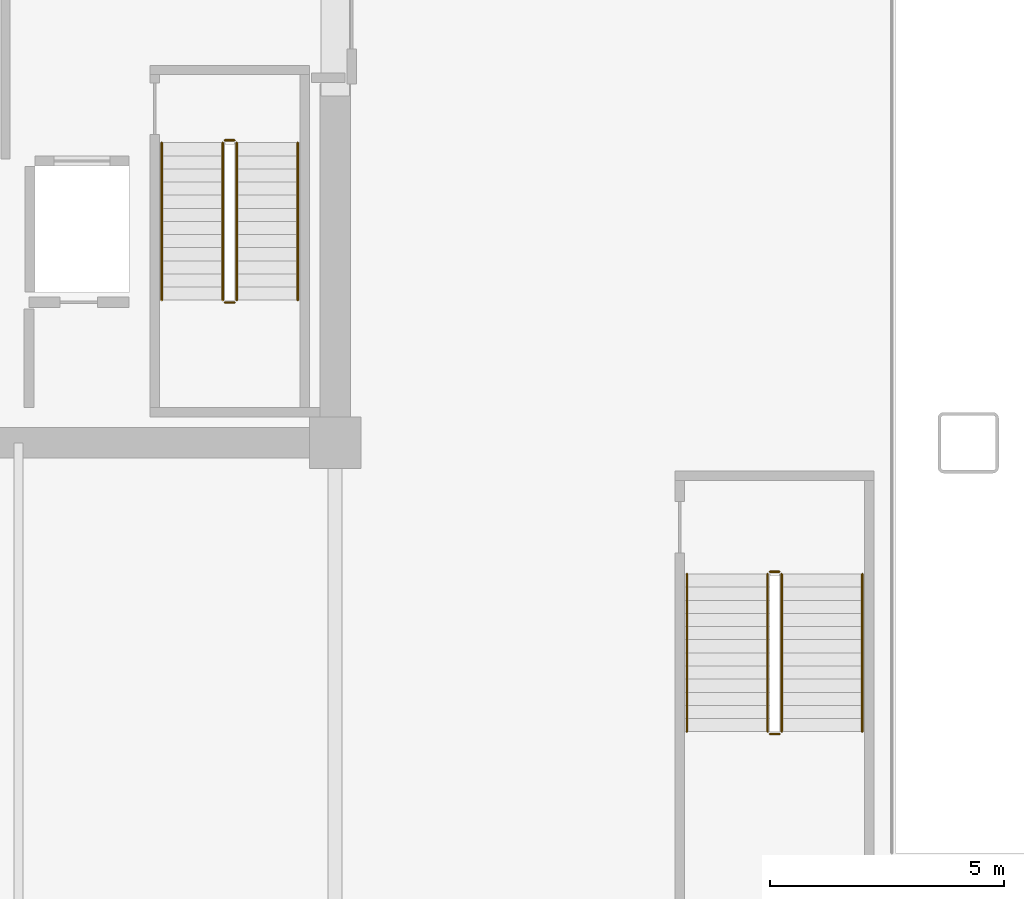
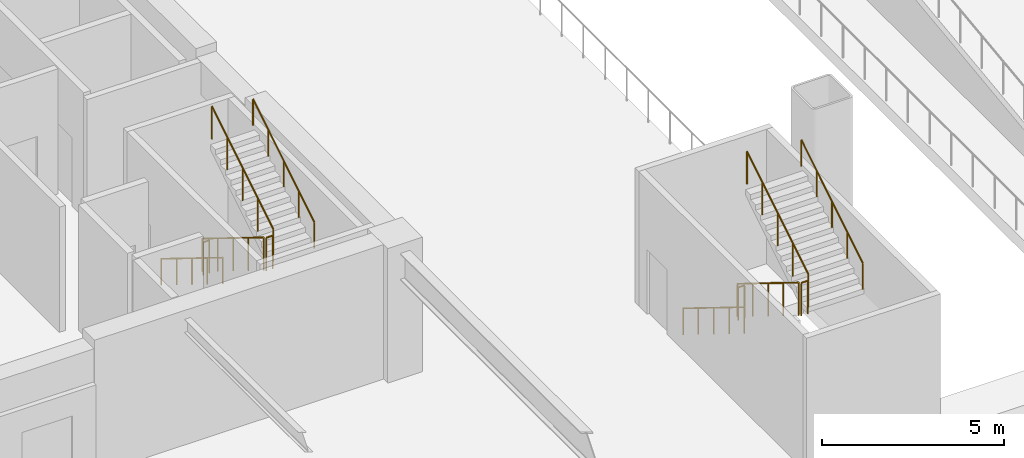
# One storey, part 7 of 9: 12 railings.
"""IFC4 building model written with IfcOpenShell, lengths in metres."""

from ifc_helpers import new_model, si_unit, direction, frame, origin, origin_2d, place, context, subcontext, project, spatial, circle, extrude, material, type_object, element, save


model = new_model("IFC4")

# Units and contexts
model_context = context("Model", 3, precision=1e-05, world=origin(), true_north=direction((0.0, 1.0)))
body_context = subcontext(model_context, "Body", "Model", "MODEL_VIEW")
ifc_project = project(units=[si_unit("LENGTHUNIT", "METRE"), si_unit("AREAUNIT", "SQUARE_METRE"), si_unit("VOLUMEUNIT", "CUBIC_METRE"), si_unit("PLANEANGLEUNIT", "RADIAN"), si_unit("MASSUNIT", "GRAM", prefix="KILO")], contexts=[model_context])

# Site, building, storey
site_placement = place(None, origin())
site = spatial("IfcSite", under=ifc_project, at=site_placement, CompositionType="ELEMENT")
building_placement = place(site_placement, origin())
building = spatial("IfcBuilding", under=site, at=building_placement, Name="Nefas-Gora Pilgrimage Tower", CompositionType="ELEMENT")
storey_placement = place(building_placement, frame((0.0, 0.0, -4.5)))
storey = spatial("IfcBuildingStorey", under=building, at=storey_placement, Name="B01", CompositionType="ELEMENT", Elevation=-4.5)

# Railings
ifc_material_1 = material(Name="Painted galvanised steel", Category="steel")
railing_type_1 = type_object("IfcRailingType", Name="RLG-STR-GUARD-1100", PredefinedType="GUARDRAIL", material=ifc_material_1)
railing_1_placement = place(storey_placement, frame((8.85009765625, -2.60009765625, 0.173095703125)))
element("IfcRailing", 1, at=railing_1_placement, inside=storey, type_object=railing_type_1, Name="B01 ST-02 stair guard 1", PredefinedType="GUARDRAIL", context=body_context, shape_type="SweptSolid", body=[
    extrude(circle(Radius=0.02392578125, at=origin_2d()), frame((0.0, 0.0, 1.09619140625), z_axis=(0.0, -0.850606129759, 0.525803396734), x_axis=(1.0, 0.0, 0.0)), (0.0, 0.0, 1.0), 3.949951171875),
    extrude(circle(Radius=0.02099609375, at=origin_2d()), origin(), (0.0, 0.0, 1.0), 1.072021484375),
    extrude(circle(Radius=0.02099609375, at=origin_2d()), frame((0.0, -0.83984375, 0.519287109375)), (0.0, 0.0, 1.0), 1.072021484375),
    extrude(circle(Radius=0.02099609375, at=origin_2d()), frame((0.0, -1.679931640625, 1.03857421875)), (0.0, 0.0, 1.0), 1.072021484375),
    extrude(circle(Radius=0.02099609375, at=origin_2d()), frame((0.0, -2.52001953125, 1.5576171875)), (0.0, 0.0, 1.0), 1.072021484375),
    extrude(circle(Radius=0.02099609375, at=origin_2d()), frame((0.0, -3.35986328125, 2.076904296875)), (0.0, 0.0, 1.0), 1.072021484375),
])
railing_2_placement = place(storey_placement, frame((8.89990234375, -6.010009765625, 2.25)))
element("IfcRailing", 2, at=railing_2_placement, inside=storey, type_object=railing_type_1, Name="B01 ST-02 stair guard 2", PredefinedType="GUARDRAIL", context=body_context, shape_type="SweptSolid", body=[
    extrude(circle(Radius=0.02392578125, at=origin_2d()), frame((0.0, 0.0, 1.09619140625), z_axis=(1.0, 0.0, 0.0), x_axis=(0.0, 1.0, 0.0)), (0.0, 0.0, 1.0), 0.2001953125),
    extrude(circle(Radius=0.02099609375, at=origin_2d()), origin(), (0.0, 0.0, 1.0), 1.072021484375),
    extrude(circle(Radius=0.02099609375, at=origin_2d()), frame((0.2001953125, 0.0, 0.0)), (0.0, 0.0, 1.0), 1.072021484375),
])
railing_3_placement = place(storey_placement, frame((9.14990234375, -5.9599609375, 2.423095703125)))
element("IfcRailing", 3, at=railing_3_placement, inside=storey, type_object=railing_type_1, Name="B01 ST-02 stair guard 3", PredefinedType="GUARDRAIL", context=body_context, shape_type="SweptSolid", body=[
    extrude(circle(Radius=0.02392578125, at=origin_2d()), frame((0.0, 0.0, 1.09619140625), z_axis=(0.0, 0.850606129759, 0.525803396734), x_axis=(-1.0, 0.0, 0.0)), (0.0, 0.0, 1.0), 3.949951171875),
    extrude(circle(Radius=0.02099609375, at=origin_2d()), origin(), (0.0, 0.0, 1.0), 1.072021484375),
    extrude(circle(Radius=0.02099609375, at=origin_2d()), frame((0.0, 0.83984375, 0.519287109375)), (0.0, 0.0, 1.0), 1.072021484375),
    extrude(circle(Radius=0.02099609375, at=origin_2d()), frame((0.0, 1.679931640625, 1.03857421875)), (0.0, 0.0, 1.0), 1.072021484375),
    extrude(circle(Radius=0.02099609375, at=origin_2d()), frame((0.0, 2.52001953125, 1.5576171875)), (0.0, 0.0, 1.0), 1.072021484375),
    extrude(circle(Radius=0.02099609375, at=origin_2d()), frame((0.0, 3.35986328125, 2.076904296875)), (0.0, 0.0, 1.0), 1.072021484375),
])
railing_4_placement = place(storey_placement, frame((8.89990234375, -2.550048828125, 0.0)))
element("IfcRailing", 4, at=railing_4_placement, inside=storey, type_object=railing_type_1, Name="B01 ST-02 stair guard 4", PredefinedType="GUARDRAIL", context=body_context, shape_type="SweptSolid", body=[
    extrude(circle(Radius=0.02392578125, at=origin_2d()), frame((0.0, 0.0, 1.09619140625), z_axis=(1.0, 0.0, 0.0), x_axis=(0.0, 1.0, 0.0)), (0.0, 0.0, 1.0), 0.2001953125),
    extrude(circle(Radius=0.02099609375, at=origin_2d()), origin(), (0.0, 0.0, 1.0), 1.072021484375),
    extrude(circle(Radius=0.02099609375, at=origin_2d()), frame((0.2001953125, 0.0, 0.0)), (0.0, 0.0, 1.0), 1.072021484375),
])
railing_5_placement = place(storey_placement, frame((20.469970703125, -11.800048828125, 0.173095703125)))
element("IfcRailing", 5, at=railing_5_placement, inside=storey, type_object=railing_type_1, Name="B01 ST-06 stair guard 1", PredefinedType="GUARDRAIL", context=body_context, shape_type="SweptSolid", body=[
    extrude(circle(Radius=0.02392578125, at=origin_2d()), frame((0.0, 0.0, 1.09619140625), z_axis=(0.0, -0.850606129759, 0.525803396734), x_axis=(1.0, 0.0, 0.0)), (0.0, 0.0, 1.0), 3.949951171875),
    extrude(circle(Radius=0.02099609375, at=origin_2d()), origin(), (0.0, 0.0, 1.0), 1.072021484375),
    extrude(circle(Radius=0.02099609375, at=origin_2d()), frame((0.0, -0.83984375, 0.519287109375)), (0.0, 0.0, 1.0), 1.072021484375),
    extrude(circle(Radius=0.02099609375, at=origin_2d()), frame((0.0, -1.679931640625, 1.03857421875)), (0.0, 0.0, 1.0), 1.072021484375),
    extrude(circle(Radius=0.02099609375, at=origin_2d()), frame((0.0, -2.52001953125, 1.5576171875)), (0.0, 0.0, 1.0), 1.072021484375),
    extrude(circle(Radius=0.02099609375, at=origin_2d()), frame((0.0, -3.35986328125, 2.076904296875)), (0.0, 0.0, 1.0), 1.072021484375),
])
railing_6_placement = place(storey_placement, frame((20.52001953125, -15.2099609375, 2.25)))
element("IfcRailing", 6, at=railing_6_placement, inside=storey, type_object=railing_type_1, Name="B01 ST-06 stair guard 2", PredefinedType="GUARDRAIL", context=body_context, shape_type="SweptSolid", body=[
    extrude(circle(Radius=0.02392578125, at=origin_2d()), frame((0.0, 0.0, 1.09619140625), z_axis=(1.0, 0.0, 0.0), x_axis=(0.0, 1.0, 0.0)), (0.0, 0.0, 1.0), 0.199951171875),
    extrude(circle(Radius=0.02099609375, at=origin_2d()), origin(), (0.0, 0.0, 1.0), 1.072021484375),
    extrude(circle(Radius=0.02099609375, at=origin_2d()), frame((0.199951171875, 0.0, 0.0)), (0.0, 0.0, 1.0), 1.072021484375),
])
railing_7_placement = place(storey_placement, frame((20.77001953125, -15.159912109375, 2.423095703125)))
element("IfcRailing", 7, at=railing_7_placement, inside=storey, type_object=railing_type_1, Name="B01 ST-06 stair guard 3", PredefinedType="GUARDRAIL", context=body_context, shape_type="SweptSolid", body=[
    extrude(circle(Radius=0.02392578125, at=origin_2d()), frame((0.0, 0.0, 1.09619140625), z_axis=(0.0, 0.850606129759, 0.525803396734), x_axis=(-1.0, 0.0, 0.0)), (0.0, 0.0, 1.0), 3.949951171875),
    extrude(circle(Radius=0.02099609375, at=origin_2d()), origin(), (0.0, 0.0, 1.0), 1.072021484375),
    extrude(circle(Radius=0.02099609375, at=origin_2d()), frame((0.0, 0.83984375, 0.519287109375)), (0.0, 0.0, 1.0), 1.072021484375),
    extrude(circle(Radius=0.02099609375, at=origin_2d()), frame((0.0, 1.679931640625, 1.03857421875)), (0.0, 0.0, 1.0), 1.072021484375),
    extrude(circle(Radius=0.02099609375, at=origin_2d()), frame((0.0, 2.52001953125, 1.5576171875)), (0.0, 0.0, 1.0), 1.072021484375),
    extrude(circle(Radius=0.02099609375, at=origin_2d()), frame((0.0, 3.35986328125, 2.076904296875)), (0.0, 0.0, 1.0), 1.072021484375),
])
railing_8_placement = place(storey_placement, frame((20.52001953125, -11.75, 0.0)))
element("IfcRailing", 8, at=railing_8_placement, inside=storey, type_object=railing_type_1, Name="B01 ST-06 stair guard 4", PredefinedType="GUARDRAIL", context=body_context, shape_type="SweptSolid", body=[
    extrude(circle(Radius=0.02392578125, at=origin_2d()), frame((0.0, 0.0, 1.09619140625), z_axis=(1.0, 0.0, 0.0), x_axis=(0.0, 1.0, 0.0)), (0.0, 0.0, 1.0), 0.199951171875),
    extrude(circle(Radius=0.02099609375, at=origin_2d()), origin(), (0.0, 0.0, 1.0), 1.072021484375),
    extrude(circle(Radius=0.02099609375, at=origin_2d()), frame((0.199951171875, 0.0, 0.0)), (0.0, 0.0, 1.0), 1.072021484375),
])
ifc_material_2 = material(Name="Brushed stainless steel", Category="steel")
railing_type_2 = type_object("IfcRailingType", Name="RLG-STR-HAND-900", PredefinedType="HANDRAIL", material=ifc_material_2)
railing_9_placement = place(storey_placement, frame((7.550048828125, -2.60009765625, 0.173095703125)))
element("IfcRailing", 9, at=railing_9_placement, inside=storey, type_object=railing_type_2, Name="B01 ST-02 stair handrail 1", PredefinedType="HANDRAIL", context=body_context, shape_type="SweptSolid", body=[
    extrude(circle(Radius=0.02392578125, at=origin_2d()), frame((0.0, 0.0, 0.8759765625), z_axis=(0.0, -0.850606129759, 0.525803396734), x_axis=(1.0, 0.0, 0.0)), (0.0, 0.0, 1.0), 3.949951171875),
    extrude(circle(Radius=0.02099609375, at=origin_2d()), origin(), (0.0, 0.0, 1.0), 0.851806640625),
    extrude(circle(Radius=0.02099609375, at=origin_2d()), frame((0.0, -0.83984375, 0.519287109375)), (0.0, 0.0, 1.0), 0.851806640625),
    extrude(circle(Radius=0.02099609375, at=origin_2d()), frame((0.0, -1.679931640625, 1.03857421875)), (0.0, 0.0, 1.0), 0.851806640625),
    extrude(circle(Radius=0.02099609375, at=origin_2d()), frame((0.0, -2.52001953125, 1.5576171875)), (0.0, 0.0, 1.0), 0.851806640625),
    extrude(circle(Radius=0.02099609375, at=origin_2d()), frame((0.0, -3.35986328125, 2.076904296875)), (0.0, 0.0, 1.0), 0.851806640625),
])
railing_10_placement = place(storey_placement, frame((10.449951171875, -5.9599609375, 2.423095703125)))
element("IfcRailing", 10, at=railing_10_placement, inside=storey, type_object=railing_type_2, Name="B01 ST-02 stair handrail 2", PredefinedType="HANDRAIL", context=body_context, shape_type="SweptSolid", body=[
    extrude(circle(Radius=0.02392578125, at=origin_2d()), frame((0.0, 0.0, 0.8759765625), z_axis=(0.0, 0.850606129759, 0.525803396734), x_axis=(-1.0, 0.0, 0.0)), (0.0, 0.0, 1.0), 3.949951171875),
    extrude(circle(Radius=0.02099609375, at=origin_2d()), origin(), (0.0, 0.0, 1.0), 0.851806640625),
    extrude(circle(Radius=0.02099609375, at=origin_2d()), frame((0.0, 0.83984375, 0.519287109375)), (0.0, 0.0, 1.0), 0.851806640625),
    extrude(circle(Radius=0.02099609375, at=origin_2d()), frame((0.0, 1.679931640625, 1.03857421875)), (0.0, 0.0, 1.0), 0.851806640625),
    extrude(circle(Radius=0.02099609375, at=origin_2d()), frame((0.0, 2.52001953125, 1.5576171875)), (0.0, 0.0, 1.0), 0.851806640625),
    extrude(circle(Radius=0.02099609375, at=origin_2d()), frame((0.0, 3.35986328125, 2.076904296875)), (0.0, 0.0, 1.0), 0.851806640625),
])
railing_11_placement = place(storey_placement, frame((18.75, -11.800048828125, 0.173095703125)))
element("IfcRailing", 11, at=railing_11_placement, inside=storey, type_object=railing_type_2, Name="B01 ST-06 stair handrail 1", PredefinedType="HANDRAIL", context=body_context, shape_type="SweptSolid", body=[
    extrude(circle(Radius=0.02392578125, at=origin_2d()), frame((0.0, 0.0, 0.8759765625), z_axis=(0.0, -0.850606129759, 0.525803396734), x_axis=(1.0, 0.0, 0.0)), (0.0, 0.0, 1.0), 3.949951171875),
    extrude(circle(Radius=0.02099609375, at=origin_2d()), origin(), (0.0, 0.0, 1.0), 0.851806640625),
    extrude(circle(Radius=0.02099609375, at=origin_2d()), frame((0.0, -0.83984375, 0.519287109375)), (0.0, 0.0, 1.0), 0.851806640625),
    extrude(circle(Radius=0.02099609375, at=origin_2d()), frame((0.0, -1.679931640625, 1.03857421875)), (0.0, 0.0, 1.0), 0.851806640625),
    extrude(circle(Radius=0.02099609375, at=origin_2d()), frame((0.0, -2.52001953125, 1.5576171875)), (0.0, 0.0, 1.0), 0.851806640625),
    extrude(circle(Radius=0.02099609375, at=origin_2d()), frame((0.0, -3.35986328125, 2.076904296875)), (0.0, 0.0, 1.0), 0.851806640625),
])
railing_12_placement = place(storey_placement, frame((22.489990234375, -15.159912109375, 2.423095703125)))
element("IfcRailing", 12, at=railing_12_placement, inside=storey, type_object=railing_type_2, Name="B01 ST-06 stair handrail 2", PredefinedType="HANDRAIL", context=body_context, shape_type="SweptSolid", body=[
    extrude(circle(Radius=0.02392578125, at=origin_2d()), frame((0.0, 0.0, 0.8759765625), z_axis=(0.0, 0.850606129759, 0.525803396734), x_axis=(-1.0, 0.0, 0.0)), (0.0, 0.0, 1.0), 3.949951171875),
    extrude(circle(Radius=0.02099609375, at=origin_2d()), origin(), (0.0, 0.0, 1.0), 0.851806640625),
    extrude(circle(Radius=0.02099609375, at=origin_2d()), frame((0.0, 0.83984375, 0.519287109375)), (0.0, 0.0, 1.0), 0.851806640625),
    extrude(circle(Radius=0.02099609375, at=origin_2d()), frame((0.0, 1.679931640625, 1.03857421875)), (0.0, 0.0, 1.0), 0.851806640625),
    extrude(circle(Radius=0.02099609375, at=origin_2d()), frame((0.0, 2.52001953125, 1.5576171875)), (0.0, 0.0, 1.0), 0.851806640625),
    extrude(circle(Radius=0.02099609375, at=origin_2d()), frame((0.0, 3.35986328125, 2.076904296875)), (0.0, 0.0, 1.0), 0.851806640625),
])

save(model, "model.ifc")
